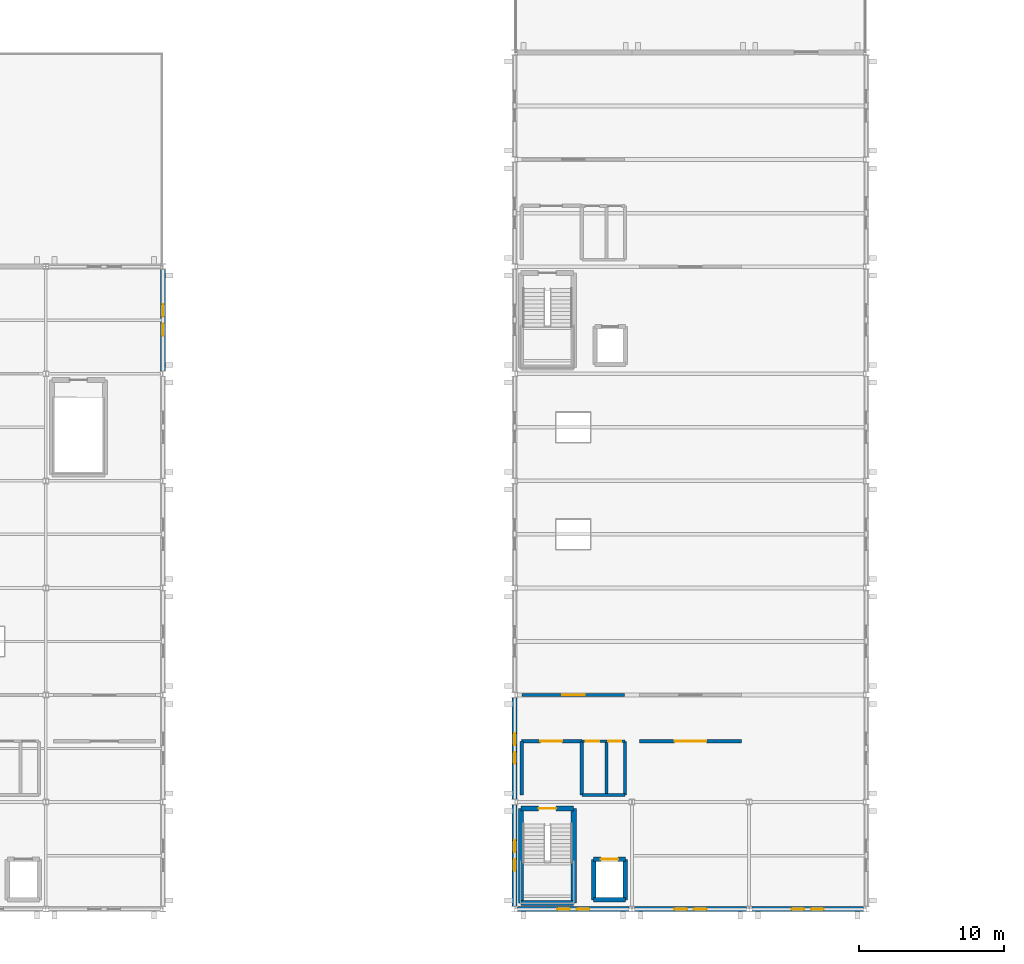
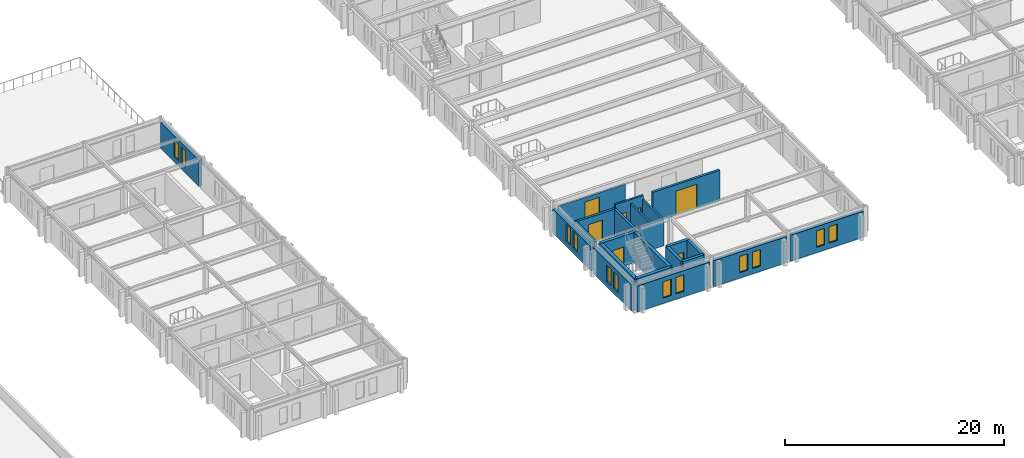
# One storey, part 10 of 19: 23 walls, 12 windows, 7 doors, 19 openings.
"""IFC4 building model written with IfcOpenShell, lengths in metres."""

from ifc_helpers import new_model, si_unit, direction, frame, frame_2d, origin, place, context, subcontext, project, spatial, rectangle, extrude, material, layer, layer_set, type_object, element, fill, save


model = new_model("IFC4")

# Units and contexts
model_context = context("Model", 3, precision=1e-05, world=origin(), true_north=direction((0.0, 1.0)))
body_context = subcontext(model_context, "Body", "Model", "MODEL_VIEW")
ifc_project = project(units=[si_unit("LENGTHUNIT", "METRE"), si_unit("AREAUNIT", "SQUARE_METRE"), si_unit("VOLUMEUNIT", "CUBIC_METRE"), si_unit("PLANEANGLEUNIT", "RADIAN"), si_unit("MASSUNIT", "GRAM", prefix="KILO")], contexts=[model_context])

# Site, building, storey
site_placement = place(None, origin())
site = spatial("IfcSite", under=ifc_project, at=site_placement, CompositionType="ELEMENT")
building_placement = place(site_placement, origin())
building = spatial("IfcBuilding", under=site, at=building_placement, Name="Cimatlan Art Gallery", CompositionType="ELEMENT")
storey_placement = place(building_placement, frame((0.0, 0.0, 17.39990234375)))
storey = spatial("IfcBuildingStorey", under=building, at=storey_placement, Name="L04", CompositionType="ELEMENT", Elevation=17.39990234375)

# Walls
ifc_material_1 = material(Name="Concrete C40/50", Category="concrete")
ifc_layer_1 = layer(ifc_material_1, 0.31005859375)
ifc_layer_set_1 = layer_set([ifc_layer_1], Name="Concrete C40/50")
wall_type_1 = type_object("IfcWallType", Name="W-CORE-310", PredefinedType="SHEAR", material=ifc_layer_set_1)
wall_1_placement = place(storey_placement, frame((80.35009765625, 24.550048828125, 0.0), z_axis=(0.0, 0.0, 1.0), x_axis=(0.0, 1.0, 0.0)))
element("IfcWall", 1, at=wall_1_placement, inside=storey, type_object=wall_type_1, Name="WL-SHFT-C3-L04-LW", PredefinedType="SHEAR", context=body_context, shape_type="SweptSolid", body=[
    extrude(rectangle(XDim=2.800048828125, YDim=0.31005859375, at=frame_2d((1.39990234375, 0.0))), origin(), (0.0, 0.0, 1.0), 3.375),
])
wall_2_placement = place(storey_placement, frame((80.35009765625, 24.550048828125, 0.0), z_axis=(0.0, 0.0, 1.0), x_axis=(1.0, 0.0, 0.0)))
element("IfcWall", 2, at=wall_2_placement, inside=storey, type_object=wall_type_1, Name="WL-SHFT-C3-L04-LS", PredefinedType="SHEAR", context=body_context, shape_type="SweptSolid", body=[
    extrude(rectangle(XDim=2.199951171875, YDim=0.31005859375, at=frame_2d((1.10009765625, 0.0))), origin(), (0.0, 0.0, 1.0), 3.375),
])
wall_3_placement = place(storey_placement, frame((82.550048828125, 24.550048828125, 0.0), z_axis=(0.0, 0.0, 1.0), x_axis=(0.0, 1.0, 0.0)))
element("IfcWall", 3, at=wall_3_placement, inside=storey, type_object=wall_type_1, Name="WL-SHFT-C3-L04-LE", PredefinedType="SHEAR", context=body_context, shape_type="SweptSolid", body=[
    extrude(rectangle(XDim=2.800048828125, YDim=0.31005859375, at=frame_2d((1.39990234375, 0.0))), origin(), (0.0, 0.0, 1.0), 3.375),
])

# Wall, opening, door
wall_4_placement = place(storey_placement, frame((80.35009765625, 27.35009765625, 0.0), z_axis=(0.0, 0.0, 1.0), x_axis=(1.0, 0.0, 0.0)))
wall_4 = element("IfcWall", 4, at=wall_4_placement, inside=storey, type_object=wall_type_1, Name="WL-SHFT-C3-L04-LN", PredefinedType="SHEAR", context=body_context, shape_type="SweptSolid", body=[
    extrude(rectangle(XDim=2.199951171875, YDim=0.31005859375, at=frame_2d((1.10009765625, 0.0))), origin(), (0.0, 0.0, 1.0), 3.375),
])
opening_1_placement = place(wall_4_placement, frame((0.5, 0.0, 0.0)))
opening_1 = element("IfcOpeningElement", 5, at=opening_1_placement, cuts=wall_4, Name="Opening LD-C3-L04", PredefinedType="OPENING", context=body_context, shape_type="SweptSolid", body=[
    extrude(rectangle(XDim=1.199951171875, YDim=2.14990234375, at=frame_2d((0.60009765625, 1.074951171875))), frame((0.0, 0.1650390625, 0.0), z_axis=(0.0, -1.0, 0.0), x_axis=(1.0, 0.0, 0.0)), (0.0, 0.0, 1.0), 0.330078125),
])
ifc_material_2 = material(Name="Fire-rated sliding firefighting lift landing door")
door_type_1 = type_object("IfcDoorType", Name="LD-FF-1200", OperationType="NOTDEFINED", PredefinedType="DOOR", material=ifc_material_2)
door_1_placement = place(opening_1_placement, origin())
door_1 = element("IfcDoor", 6, at=door_1_placement, inside=storey, type_object=door_type_1, Name="LD-FFL-02-L04", OperationType="SLIDING_TO_RIGHT", OverallHeight=2.14990234375, OverallWidth=1.199951171875, PredefinedType="DOOR", context=body_context, shape_type="SweptSolid", body=[
    extrude(rectangle(XDim=1.199951171875, YDim=2.14990234375, at=frame_2d((0.60009765625, 1.074951171875))), frame((0.0, 0.02490234375, 0.0), z_axis=(0.0, -1.0, 0.0), x_axis=(1.0, 0.0, 0.0)), (0.0, 0.0, 1.0), 0.050048828125),
])
fill(opening_1, door_1)

# Walls
ifc_layer_2 = layer(ifc_material_1, 0.35009765625)
ifc_layer_set_2 = layer_set([ifc_layer_2], Name="Concrete C40/50")
wall_type_2 = type_object("IfcWallType", Name="W-CORE-350", PredefinedType="SHEAR", material=ifc_layer_set_2)
wall_5_placement = place(storey_placement, frame((75.340087890625, 24.340087890625, 0.0), z_axis=(0.0, 0.0, 1.0), x_axis=(0.0, 1.0, 0.0)))
element("IfcWall", 7, at=wall_5_placement, inside=storey, type_object=wall_type_2, Name="WL-CORE-C3-L04-SW", PredefinedType="SHEAR", context=body_context, shape_type="SweptSolid", body=[
    extrude(rectangle(XDim=6.52001953125, YDim=0.35009765625, at=frame_2d((3.260009765625, 0.0))), origin(), (0.0, 0.0, 1.0), 3.375),
])
wall_6_placement = place(storey_placement, frame((75.340087890625, 24.340087890625, 0.0), z_axis=(0.0, 0.0, 1.0), x_axis=(1.0, 0.0, 0.0)))
element("IfcWall", 8, at=wall_6_placement, inside=storey, type_object=wall_type_2, Name="WL-CORE-C3-L04-SS", PredefinedType="SHEAR", context=body_context, shape_type="SweptSolid", body=[
    extrude(rectangle(XDim=3.639892578125, YDim=0.35009765625, at=frame_2d((1.81982421875, 0.0))), origin(), (0.0, 0.0, 1.0), 3.375),
])
wall_7_placement = place(storey_placement, frame((78.97998046875, 24.340087890625, 0.0), z_axis=(0.0, 0.0, 1.0), x_axis=(0.0, 1.0, 0.0)))
element("IfcWall", 9, at=wall_7_placement, inside=storey, type_object=wall_type_2, Name="WL-CORE-C3-L04-SE", PredefinedType="SHEAR", context=body_context, shape_type="SweptSolid", body=[
    extrude(rectangle(XDim=6.52001953125, YDim=0.35009765625, at=frame_2d((3.260009765625, 0.0))), origin(), (0.0, 0.0, 1.0), 3.375),
])

# Wall, opening, door
wall_8_placement = place(storey_placement, frame((75.340087890625, 30.860107421875, 0.0), z_axis=(0.0, 0.0, 1.0), x_axis=(1.0, 0.0, 0.0)))
wall_8 = element("IfcWall", 10, at=wall_8_placement, inside=storey, type_object=wall_type_2, Name="WL-CORE-C3-L04-SN", PredefinedType="SHEAR", context=body_context, shape_type="SweptSolid", body=[
    extrude(rectangle(XDim=3.639892578125, YDim=0.35009765625, at=frame_2d((1.81982421875, 0.0))), origin(), (0.0, 0.0, 1.0), 3.375),
])
opening_2_placement = place(wall_8_placement, frame((1.219970703125, 0.0, 0.0)))
opening_2 = element("IfcOpeningElement", 11, at=opening_2_placement, cuts=wall_8, Name="Opening FD-C3-L04", PredefinedType="OPENING", context=body_context, shape_type="SweptSolid", body=[
    extrude(rectangle(XDim=1.199951171875, YDim=2.14990234375, at=frame_2d((0.60009765625, 1.074951171875))), frame((0.0, 0.18505859375, 0.0), z_axis=(0.0, -1.0, 0.0), x_axis=(1.0, 0.0, 0.0)), (0.0, 0.0, 1.0), 0.3701171875),
])
ifc_material_3 = material(Name="Fire-resisting steel acoustic stair door", Category="steel")
door_type_2 = type_object("IfcDoorType", Name="FD-ST-1200", OperationType="NOTDEFINED", PredefinedType="DOOR", material=ifc_material_3)
door_2_placement = place(opening_2_placement, origin())
door_2 = element("IfcDoor", 12, at=door_2_placement, inside=storey, type_object=door_type_2, Name="DR-C3-L04-ST", OperationType="SINGLE_SWING_LEFT", OverallHeight=2.14990234375, OverallWidth=1.199951171875, PredefinedType="DOOR", context=body_context, shape_type="SweptSolid", body=[
    extrude(rectangle(XDim=1.199951171875, YDim=2.14990234375, at=frame_2d((0.60009765625, 1.074951171875))), frame((0.0, 0.02490234375, 0.0), z_axis=(0.0, -1.0, 0.0), x_axis=(1.0, 0.0, 0.0)), (0.0, 0.0, 1.0), 0.050048828125),
])
fill(opening_2, door_2)

ifc_material_4 = material(Name="Precast concrete C40/50", Category="concrete")
ifc_layer_3 = layer(ifc_material_4, 0.2451171875)
ifc_layer_set_3 = layer_set([ifc_layer_3], Name="Precast concrete C40/50")
wall_type_3 = type_object("IfcWallType", Name="W-FFL-245", PredefinedType="PARTITIONING", material=ifc_layer_set_3)
wall_9_placement = place(storey_placement, frame((75.3798828125, 35.5, 0.0), z_axis=(0.0, 0.0, 1.0), x_axis=(1.0, 0.0, 0.0)))
wall_9 = element("IfcWall", 13, at=wall_9_placement, inside=storey, type_object=wall_type_3, Name="WL-LOB-C3-L04-N", PredefinedType="PARTITIONING", context=body_context, shape_type="SweptSolid", body=[
    extrude(rectangle(XDim=4.170166015625, YDim=0.2451171875, at=frame_2d((2.0849609375, 0.0))), origin(), (0.0, 0.0, 1.0), 2.9130859375),
])
opening_3_placement = place(wall_9_placement, frame((1.300048828125, 0.0, 0.0)))
opening_3 = element("IfcOpeningElement", 14, at=opening_3_placement, cuts=wall_9, Name="Opening FDL-C3-L04", PredefinedType="OPENING", context=body_context, shape_type="SweptSolid", body=[
    extrude(rectangle(XDim=1.5, YDim=2.14990234375, at=frame_2d((0.75, 1.074951171875))), frame((0.0, 0.132568359375, 0.0), z_axis=(0.0, -1.0, 0.0), x_axis=(1.0, 0.0, 0.0)), (0.0, 0.0, 1.0), 0.26513671875),
])
ifc_material_5 = material(Name="Fire-resisting double-seal lobby door")
door_type_3 = type_object("IfcDoorType", Name="FD-LB-1500", OperationType="NOTDEFINED", PredefinedType="DOOR", material=ifc_material_5)
door_3_placement = place(opening_3_placement, origin())
door_3 = element("IfcDoor", 15, at=door_3_placement, inside=storey, type_object=door_type_3, Name="DR-LOB-C3-L04", OperationType="SINGLE_SWING_RIGHT", OverallHeight=2.14990234375, OverallWidth=1.5, PredefinedType="DOOR", context=body_context, shape_type="SweptSolid", body=[
    extrude(rectangle(XDim=1.5, YDim=2.14990234375, at=frame_2d((0.75, 1.074951171875))), frame((0.0, 0.02490234375, 0.0), z_axis=(0.0, -1.0, 0.0), x_axis=(1.0, 0.0, 0.0)), (0.0, 0.0, 1.0), 0.050048828125),
])
fill(opening_3, door_3)

# Walls
for number, where, z_axis, x_axis, name in (
    (16, (75.3798828125, 31.780029296875, 0.0), (0.0, 0.0, 1.0), (0.0, 1.0, 0.0), "WL-LOB-C3-L04-W"),
    (17, (79.550048828125, 31.780029296875, 0.0), (0.0, 0.0, 1.0), (0.0, 1.0, 0.0), "WL-LOB-C3-L04-M"),
):
    element("IfcWall", number, at=place(storey_placement, frame(where, z_axis=z_axis, x_axis=x_axis)), inside=storey, type_object=wall_type_3, Name=name, PredefinedType="PARTITIONING", context=body_context, shape_type="SweptSolid", body=[
        extrude(rectangle(XDim=3.719970703125, YDim=0.2451171875, at=frame_2d((1.85986328125, 0.0))), origin(), (0.0, 0.0, 1.0), 2.9130859375),
    ])

# Wall, opening, door
wall_10_placement = place(storey_placement, frame((83.52001953125, 35.5, 0.0), z_axis=(0.0, 0.0, 1.0), x_axis=(1.0, 0.0, 0.0)))
wall_10 = element("IfcWall", 18, at=wall_10_placement, inside=storey, type_object=wall_type_3, Name="WL-RM-L04-AST-01", PredefinedType="PARTITIONING", context=body_context, shape_type="SweptSolid", body=[
    extrude(rectangle(XDim=7.06005859375, YDim=0.2451171875, at=frame_2d((3.530029296875, 0.0))), origin(), (0.0, 0.0, 1.0), 3.364990234375),
])
opening_4_placement = place(wall_10_placement, frame((2.429931640625, 0.0, 0.0)))
opening_4 = element("IfcOpeningElement", 19, at=opening_4_placement, cuts=wall_10, Name="Opening DI-0265", PredefinedType="OPENING", context=body_context, shape_type="SweptSolid", body=[
    extrude(rectangle(XDim=2.199951171875, YDim=2.64990234375, at=frame_2d((1.10009765625, 1.324951171875))), frame((0.0, 0.132568359375, 0.0), z_axis=(0.0, -1.0, 0.0), x_axis=(1.0, 0.0, 0.0)), (0.0, 0.0, 1.0), 0.26513671875),
])
ifc_material_6 = material(Name="Fire-resisting large-format art-store door")
door_type_4 = type_object("IfcDoorType", Name="FD-VL-2200", OperationType="NOTDEFINED", PredefinedType="DOOR", material=ifc_material_6)
door_4_placement = place(opening_4_placement, origin())
door_4 = element("IfcDoor", 20, at=door_4_placement, inside=storey, type_object=door_type_4, Name="DR-RM-L04-AST-01", OperationType="SINGLE_SWING_LEFT", OverallHeight=2.64990234375, OverallWidth=2.199951171875, PredefinedType="DOOR", context=body_context, shape_type="SweptSolid", body=[
    extrude(rectangle(XDim=2.199951171875, YDim=2.64990234375, at=frame_2d((1.10009765625, 1.324951171875))), frame((0.0, 0.02490234375, 0.0), z_axis=(0.0, -1.0, 0.0), x_axis=(1.0, 0.0, 0.0)), (0.0, 0.0, 1.0), 0.050048828125),
])
fill(opening_4, door_4)

ifc_material_7 = material(Name="Acoustic gypsum and steel stud partition", Category="steel")
ifc_layer_4 = layer(ifc_material_7, 0.205078125)
ifc_layer_set_4 = layer_set([ifc_layer_4], Name="Acoustic gypsum and steel stud partition")
wall_type_4 = type_object("IfcWallType", Name="W-GAL-205", PredefinedType="PARTITIONING", material=ifc_layer_set_4)
wall_11_placement = place(storey_placement, frame((75.419921875, 38.699951171875, 0.0), z_axis=(0.0, 0.0, 1.0), x_axis=(1.0, 0.0, 0.0)))
wall_11 = element("IfcWall", 21, at=wall_11_placement, inside=storey, type_object=wall_type_4, Name="WL-RM-L04-GAL-CW", PredefinedType="PARTITIONING", context=body_context, shape_type="SweptSolid", body=[
    extrude(rectangle(XDim=7.06005859375, YDim=0.205078125, at=frame_2d((3.530029296875, 0.0))), origin(), (0.0, 0.0, 1.0), 2.68603515625),
])
opening_5_placement = place(wall_11_placement, frame((2.7548828125, 0.0, 0.0)))
opening_5 = element("IfcOpeningElement", 22, at=opening_5_placement, cuts=wall_11, Name="Opening DI-0267", PredefinedType="OPENING", context=body_context, shape_type="SweptSolid", body=[
    extrude(rectangle(XDim=1.550048828125, YDim=2.199951171875, at=frame_2d((0.77490234375, 1.10009765625))), frame((0.0, 0.112548828125, 0.0), z_axis=(0.0, -1.0, 0.0), x_axis=(1.0, 0.0, 0.0)), (0.0, 0.0, 1.0), 0.22509765625),
])
ifc_material_8 = material(Name="European oak upper gallery door")
door_type_5 = type_object("IfcDoorType", Name="DI-GL-1550", OperationType="NOTDEFINED", PredefinedType="DOOR", material=ifc_material_8)
door_5_placement = place(opening_5_placement, origin())
door_5 = element("IfcDoor", 23, at=door_5_placement, inside=storey, type_object=door_type_5, Name="DR-RM-L04-GAL-CW", OperationType="SINGLE_SWING_LEFT", OverallHeight=2.199951171875, OverallWidth=1.550048828125, PredefinedType="DOOR", context=body_context, shape_type="SweptSolid", body=[
    extrude(rectangle(XDim=1.550048828125, YDim=2.199951171875, at=frame_2d((0.77490234375, 1.10009765625))), frame((0.0, 0.02490234375, 0.0), z_axis=(0.0, -1.0, 0.0), x_axis=(1.0, 0.0, 0.0)), (0.0, 0.0, 1.0), 0.050048828125),
])
fill(opening_5, door_5)

# Walls
ifc_material_9 = material(Name="Moisture-resistant fire-rated plumbing wall")
ifc_layer_5 = layer(ifc_material_9, 0.195068359375)
ifc_layer_set_5 = layer_set([ifc_layer_5], Name="Moisture-resistant fire-rated plumbing wall")
wall_type_5 = type_object("IfcWallType", Name="W-PLM-195", PredefinedType="PARTITIONING", material=ifc_layer_set_5)
for number, where, z_axis, x_axis, name in (
    (24, (81.25, 31.780029296875, 0.0), (0.0, 0.0, 1.0), (0.0, 1.0, 0.0), "WL-LOB-C3-L04-D"),
    (25, (82.52001953125, 31.780029296875, 0.0), (0.0, 0.0, 1.0), (0.0, 1.0, 0.0), "WL-LOB-C3-L04-E"),
):
    element("IfcWall", number, at=place(storey_placement, frame(where, z_axis=z_axis, x_axis=x_axis)), inside=storey, type_object=wall_type_5, Name=name, PredefinedType="PARTITIONING", context=body_context, shape_type="SweptSolid", body=[
        extrude(rectangle(XDim=3.719970703125, YDim=0.195068359375, at=frame_2d((1.85986328125, 0.0))), origin(), (0.0, 0.0, 1.0), 2.9130859375),
    ])
wall_12_placement = place(storey_placement, frame((79.550048828125, 31.780029296875, 0.0), z_axis=(0.0, 0.0, 1.0), x_axis=(1.0, 0.0, 0.0)))
element("IfcWall", 26, at=wall_12_placement, inside=storey, type_object=wall_type_5, Name="WL-LOB-C3-L04-S", PredefinedType="PARTITIONING", context=body_context, shape_type="SweptSolid", body=[
    extrude(rectangle(XDim=2.969970703125, YDim=0.195068359375, at=frame_2d((1.48486328125, 0.0))), origin(), (0.0, 0.0, 1.0), 2.9130859375),
])

# Wall, openings, doors
wall_13_placement = place(storey_placement, frame((79.550048828125, 35.5, 0.0), z_axis=(0.0, 0.0, 1.0), x_axis=(1.0, 0.0, 0.0)))
wall_13 = element("IfcWall", 27, at=wall_13_placement, inside=storey, type_object=wall_type_5, Name="WL-WC-C3-L04-N", PredefinedType="PARTITIONING", context=body_context, shape_type="SweptSolid", body=[
    extrude(rectangle(XDim=2.969970703125, YDim=0.195068359375, at=frame_2d((1.48486328125, 0.0))), origin(), (0.0, 0.0, 1.0), 3.364990234375),
])
opening_6_placement = place(wall_13_placement, frame((0.25, 0.0, 0.0)))
opening_6 = element("IfcOpeningElement", 28, at=opening_6_placement, cuts=wall_13, Name="Opening DWC-C3A-L04", PredefinedType="OPENING", context=body_context, shape_type="SweptSolid", body=[
    extrude(rectangle(XDim=0.949951171875, YDim=2.10009765625, at=frame_2d((0.47509765625, 1.050048828125))), frame((0.0, 0.107421875, 0.0), z_axis=(0.0, -1.0, 0.0), x_axis=(1.0, 0.0, 0.0)), (0.0, 0.0, 1.0), 0.215087890625),
])
opening_7_placement = place(wall_13_placement, frame((1.820068359375, 0.0, 0.0)))
opening_7 = element("IfcOpeningElement", 29, at=opening_7_placement, cuts=wall_13, Name="Opening DWC-C3B-L04", PredefinedType="OPENING", context=body_context, shape_type="SweptSolid", body=[
    extrude(rectangle(XDim=0.89990234375, YDim=2.10009765625, at=frame_2d((0.449951171875, 1.050048828125))), frame((0.0, 0.107421875, 0.0), z_axis=(0.0, -1.0, 0.0), x_axis=(1.0, 0.0, 0.0)), (0.0, 0.0, 1.0), 0.215087890625),
])
ifc_material_10 = material(Name="Sanitary room door")
door_type_6 = type_object("IfcDoorType", Name="DI-WC-0900", OperationType="NOTDEFINED", PredefinedType="DOOR", material=ifc_material_10)
door_6_placement = place(opening_7_placement, origin())
door_6 = element("IfcDoor", 30, at=door_6_placement, inside=storey, type_object=door_type_6, Name="DR-PWC-C3-L04", OperationType="SINGLE_SWING_RIGHT", OverallHeight=2.10009765625, OverallWidth=0.89990234375, PredefinedType="DOOR", context=body_context, shape_type="SweptSolid", body=[
    extrude(rectangle(XDim=0.89990234375, YDim=2.10009765625, at=frame_2d((0.449951171875, 1.050048828125))), frame((0.0, 0.02490234375, 0.0), z_axis=(0.0, -1.0, 0.0), x_axis=(1.0, 0.0, 0.0)), (0.0, 0.0, 1.0), 0.050048828125),
])
fill(opening_7, door_6)
ifc_material_11 = material(Name="Accessible sanitary room door")
door_type_7 = type_object("IfcDoorType", Name="DI-WC-0950", OperationType="NOTDEFINED", PredefinedType="DOOR", material=ifc_material_11)
door_7_placement = place(opening_6_placement, origin())
door_7 = element("IfcDoor", 31, at=door_7_placement, inside=storey, type_object=door_type_7, Name="DR-AWC-C3-L04", OperationType="SINGLE_SWING_LEFT", OverallHeight=2.10009765625, OverallWidth=0.949951171875, PredefinedType="DOOR", context=body_context, shape_type="SweptSolid", body=[
    extrude(rectangle(XDim=0.949951171875, YDim=2.10009765625, at=frame_2d((0.47509765625, 1.050048828125))), frame((0.0, 0.02490234375, 0.0), z_axis=(0.0, -1.0, 0.0), x_axis=(1.0, 0.0, 0.0)), (0.0, 0.0, 1.0), 0.050048828125),
])
fill(opening_6, door_7)

# Wall, openings, windows
ifc_layer_6 = layer(ifc_material_4, 0.340087890625)
ifc_layer_set_6 = layer_set([ifc_layer_6], Name="Precast concrete C40/50")
wall_type_6 = type_object("IfcWallType", Name="WL-EXT-STD-340", PredefinedType="SOLIDWALL", material=ifc_layer_set_6)
wall_14_placement = place(storey_placement, frame((50.60009765625, 68.110107421875, 0.0), z_axis=(0.0, 0.0, 1.0), x_axis=(0.0, -1.0, 0.0)))
wall_14 = element("IfcWall", 32, at=wall_14_placement, inside=storey, type_object=wall_type_6, Name="WL-EXT-L04-05-08-E", PredefinedType="SOLIDWALL", context=body_context, shape_type="SweptSolid", body=[
    extrude(rectangle(XDim=7.02001953125, YDim=0.340087890625, at=frame_2d((3.510009765625, 0.0))), origin(), (0.0, 0.0, 1.0), 2.908203125),
])
opening_8_placement = place(wall_14_placement, frame((2.419921875, 0.0, 0.60009765625)))
opening_8 = element("IfcOpeningElement", 33, at=opening_8_placement, cuts=wall_14, Name="Opening WN-0329", PredefinedType="OPENING", context=body_context, shape_type="SweptSolid", body=[
    extrude(rectangle(XDim=0.85009765625, YDim=1.8798828125, at=frame_2d((0.425048828125, 0.93994140625))), frame((0.0, 0.18017578125, 0.0), z_axis=(0.0, -1.0, 0.0), x_axis=(1.0, 0.0, 0.0)), (0.0, 0.0, 1.0), 0.360107421875),
])
opening_9_placement = place(wall_14_placement, frame((3.75, 0.0, 0.60009765625)))
opening_9 = element("IfcOpeningElement", 34, at=opening_9_placement, cuts=wall_14, Name="Opening WN-0330", PredefinedType="OPENING", context=body_context, shape_type="SweptSolid", body=[
    extrude(rectangle(XDim=0.85009765625, YDim=1.8798828125, at=frame_2d((0.425048828125, 0.93994140625))), frame((0.0, 0.18017578125, 0.0), z_axis=(0.0, -1.0, 0.0), x_axis=(1.0, 0.0, 0.0)), (0.0, 0.0, 1.0), 0.360107421875),
])
ifc_material_12 = material(Name="Low-E laminated double glazing in bronze lancet frame", Category="glass")
window_type_1 = type_object("IfcWindowType", Name="WIN-E-L04-0850X1880", PartitioningType="SINGLE_PANEL", PredefinedType="WINDOW", material=ifc_material_12)
window_1_placement = place(opening_8_placement, origin())
window_1 = element("IfcWindow", 35, at=window_1_placement, inside=storey, type_object=window_type_1, Name="WIN-0329", OverallHeight=1.8798828125, OverallWidth=0.85009765625, PartitioningType="SINGLE_PANEL", PredefinedType="WINDOW", context=body_context, shape_type="SweptSolid", body=[
    extrude(rectangle(XDim=0.85009765625, YDim=1.8798828125, at=frame_2d((0.425048828125, 0.93994140625))), frame((0.0, 0.030029296875, 0.0), z_axis=(0.0, -1.0, 0.0), x_axis=(1.0, 0.0, 0.0)), (0.0, 0.0, 1.0), 0.06005859375),
])
fill(opening_8, window_1)
window_2_placement = place(opening_9_placement, origin())
window_2 = element("IfcWindow", 36, at=window_2_placement, inside=storey, type_object=window_type_1, Name="WIN-0330", OverallHeight=1.8798828125, OverallWidth=0.85009765625, PartitioningType="SINGLE_PANEL", PredefinedType="WINDOW", context=body_context, shape_type="SweptSolid", body=[
    extrude(rectangle(XDim=0.85009765625, YDim=1.8798828125, at=frame_2d((0.425048828125, 0.93994140625))), frame((0.0, 0.030029296875, 0.0), z_axis=(0.0, -1.0, 0.0), x_axis=(1.0, 0.0, 0.0)), (0.0, 0.0, 1.0), 0.06005859375),
])
fill(opening_9, window_2)

wall_15_placement = place(storey_placement, frame((82.80908203125, 23.89990234375, 0.0), z_axis=(0.0, 0.0, 1.0), x_axis=(-1.0, 0.0, 0.0)))
wall_15 = element("IfcWall", 37, at=wall_15_placement, inside=storey, type_object=wall_type_6, Name="WL-EXT-L04-09-03-S", PredefinedType="SOLIDWALL", context=body_context, shape_type="SweptSolid", body=[
    extrude(rectangle(XDim=7.7080078125, YDim=0.340087890625, at=frame_2d((3.85400390625, 0.0))), origin(), (0.0, 0.0, 1.0), 2.908203125),
])
opening_10_placement = place(wall_15_placement, frame((2.743896484375, 0.0, 0.60009765625)))
opening_10 = element("IfcOpeningElement", 38, at=opening_10_placement, cuts=wall_15, Name="Opening WN-0331", PredefinedType="OPENING", context=body_context, shape_type="SweptSolid", body=[
    extrude(rectangle(XDim=0.8701171875, YDim=1.820068359375, at=frame_2d((0.43505859375, 0.91015625))), frame((0.0, 0.18017578125, 0.0), z_axis=(0.0, -1.0, 0.0), x_axis=(1.0, 0.0, 0.0)), (0.0, 0.0, 1.0), 0.360107421875),
])
opening_11_placement = place(wall_15_placement, frame((4.093994140625, 0.0, 0.60009765625)))
opening_11 = element("IfcOpeningElement", 39, at=opening_11_placement, cuts=wall_15, Name="Opening WN-0332", PredefinedType="OPENING", context=body_context, shape_type="SweptSolid", body=[
    extrude(rectangle(XDim=0.8701171875, YDim=1.820068359375, at=frame_2d((0.43505859375, 0.91015625))), frame((0.0, 0.18017578125, 0.0), z_axis=(0.0, -1.0, 0.0), x_axis=(1.0, 0.0, 0.0)), (0.0, 0.0, 1.0), 0.360107421875),
])
window_type_2 = type_object("IfcWindowType", Name="WIN-S-L04-0870X1820", PartitioningType="SINGLE_PANEL", PredefinedType="WINDOW", material=ifc_material_12)
window_3_placement = place(opening_10_placement, origin())
window_3 = element("IfcWindow", 40, at=window_3_placement, inside=storey, type_object=window_type_2, Name="WIN-0331", OverallHeight=1.820068359375, OverallWidth=0.8701171875, PartitioningType="SINGLE_PANEL", PredefinedType="WINDOW", context=body_context, shape_type="SweptSolid", body=[
    extrude(rectangle(XDim=0.8701171875, YDim=1.820068359375, at=frame_2d((0.43505859375, 0.91015625))), frame((0.0, 0.030029296875, 0.0), z_axis=(0.0, -1.0, 0.0), x_axis=(1.0, 0.0, 0.0)), (0.0, 0.0, 1.0), 0.06005859375),
])
fill(opening_10, window_3)
window_4_placement = place(opening_11_placement, origin())
window_4 = element("IfcWindow", 41, at=window_4_placement, inside=storey, type_object=window_type_2, Name="WIN-0332", OverallHeight=1.820068359375, OverallWidth=0.8701171875, PartitioningType="SINGLE_PANEL", PredefinedType="WINDOW", context=body_context, shape_type="SweptSolid", body=[
    extrude(rectangle(XDim=0.8701171875, YDim=1.820068359375, at=frame_2d((0.43505859375, 0.91015625))), frame((0.0, 0.030029296875, 0.0), z_axis=(0.0, -1.0, 0.0), x_axis=(1.0, 0.0, 0.0)), (0.0, 0.0, 1.0), 0.06005859375),
])
fill(opening_11, window_4)

wall_16_placement = place(storey_placement, frame((74.89990234375, 24.092041015625, 0.0), z_axis=(0.0, 0.0, 1.0), x_axis=(0.0, 1.0, 0.0)))
wall_16 = element("IfcWall", 42, at=wall_16_placement, inside=storey, type_object=wall_type_6, Name="WL-EXT-L04-09-03-W", PredefinedType="SOLIDWALL", context=body_context, shape_type="SweptSolid", body=[
    extrude(rectangle(XDim=7.015869140625, YDim=0.340087890625, at=frame_2d((3.5078125, 0.0))), origin(), (0.0, 0.0, 1.0), 2.908203125),
])
opening_12_placement = place(wall_16_placement, frame((2.4580078125, 0.0, 0.60009765625)))
opening_12 = element("IfcOpeningElement", 43, at=opening_12_placement, cuts=wall_16, Name="Opening WN-0333", PredefinedType="OPENING", context=body_context, shape_type="SweptSolid", body=[
    extrude(rectangle(XDim=0.81005859375, YDim=1.840087890625, at=frame_2d((0.405029296875, 0.919921875))), frame((0.0, 0.18017578125, 0.0), z_axis=(0.0, -1.0, 0.0), x_axis=(1.0, 0.0, 0.0)), (0.0, 0.0, 1.0), 0.360107421875),
])
opening_13_placement = place(wall_16_placement, frame((3.748046875, 0.0, 0.60009765625)))
opening_13 = element("IfcOpeningElement", 44, at=opening_13_placement, cuts=wall_16, Name="Opening WN-0334", PredefinedType="OPENING", context=body_context, shape_type="SweptSolid", body=[
    extrude(rectangle(XDim=0.81005859375, YDim=1.840087890625, at=frame_2d((0.405029296875, 0.919921875))), frame((0.0, 0.18017578125, 0.0), z_axis=(0.0, -1.0, 0.0), x_axis=(1.0, 0.0, 0.0)), (0.0, 0.0, 1.0), 0.360107421875),
])
window_type_3 = type_object("IfcWindowType", Name="WIN-W-L04-0810X1840", PartitioningType="SINGLE_PANEL", PredefinedType="WINDOW", material=ifc_material_12)
window_5_placement = place(opening_12_placement, origin())
window_5 = element("IfcWindow", 45, at=window_5_placement, inside=storey, type_object=window_type_3, Name="WIN-0333", OverallHeight=1.840087890625, OverallWidth=0.81005859375, PartitioningType="SINGLE_PANEL", PredefinedType="WINDOW", context=body_context, shape_type="SweptSolid", body=[
    extrude(rectangle(XDim=0.81005859375, YDim=1.840087890625, at=frame_2d((0.405029296875, 0.919921875))), frame((0.0, 0.030029296875, 0.0), z_axis=(0.0, -1.0, 0.0), x_axis=(1.0, 0.0, 0.0)), (0.0, 0.0, 1.0), 0.06005859375),
])
fill(opening_12, window_5)
window_6_placement = place(opening_13_placement, origin())
window_6 = element("IfcWindow", 46, at=window_6_placement, inside=storey, type_object=window_type_3, Name="WIN-0334", OverallHeight=1.840087890625, OverallWidth=0.81005859375, PartitioningType="SINGLE_PANEL", PredefinedType="WINDOW", context=body_context, shape_type="SweptSolid", body=[
    extrude(rectangle(XDim=0.81005859375, YDim=1.840087890625, at=frame_2d((0.405029296875, 0.919921875))), frame((0.0, 0.030029296875, 0.0), z_axis=(0.0, -1.0, 0.0), x_axis=(1.0, 0.0, 0.0)), (0.0, 0.0, 1.0), 0.06005859375),
])
fill(opening_13, window_6)

wall_17_placement = place(storey_placement, frame((74.89990234375, 31.491943359375, 0.0), z_axis=(0.0, 0.0, 1.0), x_axis=(0.0, 1.0, 0.0)))
wall_17 = element("IfcWall", 47, at=wall_17_placement, inside=storey, type_object=wall_type_6, Name="WL-EXT-L04-09-04-W", PredefinedType="SOLIDWALL", context=body_context, shape_type="SweptSolid", body=[
    extrude(rectangle(XDim=7.01611328125, YDim=0.340087890625, at=frame_2d((3.508056640625, 0.0))), origin(), (0.0, 0.0, 1.0), 2.68115234375),
])
opening_14_placement = place(wall_17_placement, frame((2.4580078125, 0.0, 0.60009765625)))
opening_14 = element("IfcOpeningElement", 48, at=opening_14_placement, cuts=wall_17, Name="Opening WN-0335", PredefinedType="OPENING", context=body_context, shape_type="SweptSolid", body=[
    extrude(rectangle(XDim=0.81005859375, YDim=1.840087890625, at=frame_2d((0.405029296875, 0.919921875))), frame((0.0, 0.18017578125, 0.0), z_axis=(0.0, -1.0, 0.0), x_axis=(1.0, 0.0, 0.0)), (0.0, 0.0, 1.0), 0.360107421875),
])
opening_15_placement = place(wall_17_placement, frame((3.748046875, 0.0, 0.60009765625)))
opening_15 = element("IfcOpeningElement", 49, at=opening_15_placement, cuts=wall_17, Name="Opening WN-0336", PredefinedType="OPENING", context=body_context, shape_type="SweptSolid", body=[
    extrude(rectangle(XDim=0.81005859375, YDim=1.840087890625, at=frame_2d((0.405029296875, 0.919921875))), frame((0.0, 0.18017578125, 0.0), z_axis=(0.0, -1.0, 0.0), x_axis=(1.0, 0.0, 0.0)), (0.0, 0.0, 1.0), 0.360107421875),
])
window_7_placement = place(opening_14_placement, origin())
window_7 = element("IfcWindow", 50, at=window_7_placement, inside=storey, type_object=window_type_3, Name="WIN-0335", OverallHeight=1.840087890625, OverallWidth=0.81005859375, PartitioningType="SINGLE_PANEL", PredefinedType="WINDOW", context=body_context, shape_type="SweptSolid", body=[
    extrude(rectangle(XDim=0.81005859375, YDim=1.840087890625, at=frame_2d((0.405029296875, 0.919921875))), frame((0.0, 0.030029296875, 0.0), z_axis=(0.0, -1.0, 0.0), x_axis=(1.0, 0.0, 0.0)), (0.0, 0.0, 1.0), 0.06005859375),
])
fill(opening_14, window_7)
window_8_placement = place(opening_15_placement, origin())
window_8 = element("IfcWindow", 51, at=window_8_placement, inside=storey, type_object=window_type_3, Name="WIN-0336", OverallHeight=1.840087890625, OverallWidth=0.81005859375, PartitioningType="SINGLE_PANEL", PredefinedType="WINDOW", context=body_context, shape_type="SweptSolid", body=[
    extrude(rectangle(XDim=0.81005859375, YDim=1.840087890625, at=frame_2d((0.405029296875, 0.919921875))), frame((0.0, 0.030029296875, 0.0), z_axis=(0.0, -1.0, 0.0), x_axis=(1.0, 0.0, 0.0)), (0.0, 0.0, 1.0), 0.06005859375),
])
fill(opening_15, window_8)

wall_18_placement = place(storey_placement, frame((90.908935546875, 23.89990234375, 0.0), z_axis=(0.0, 0.0, 1.0), x_axis=(-1.0, 0.0, 0.0)))
wall_18 = element("IfcWall", 52, at=wall_18_placement, inside=storey, type_object=wall_type_6, Name="WL-EXT-L04-10-03-S", PredefinedType="SOLIDWALL", context=body_context, shape_type="SweptSolid", body=[
    extrude(rectangle(XDim=7.718017578125, YDim=0.340087890625, at=frame_2d((3.85888671875, 0.0))), origin(), (0.0, 0.0, 1.0), 2.908203125),
])
opening_16_placement = place(wall_18_placement, frame((2.7490234375, 0.0, 0.60009765625)))
opening_16 = element("IfcOpeningElement", 53, at=opening_16_placement, cuts=wall_18, Name="Opening WN-0349", PredefinedType="OPENING", context=body_context, shape_type="SweptSolid", body=[
    extrude(rectangle(XDim=0.8701171875, YDim=1.820068359375, at=frame_2d((0.43505859375, 0.91015625))), frame((0.0, 0.18017578125, 0.0), z_axis=(0.0, -1.0, 0.0), x_axis=(1.0, 0.0, 0.0)), (0.0, 0.0, 1.0), 0.360107421875),
])
opening_17_placement = place(wall_18_placement, frame((4.09912109375, 0.0, 0.60009765625)))
opening_17 = element("IfcOpeningElement", 54, at=opening_17_placement, cuts=wall_18, Name="Opening WN-0350", PredefinedType="OPENING", context=body_context, shape_type="SweptSolid", body=[
    extrude(rectangle(XDim=0.8701171875, YDim=1.820068359375, at=frame_2d((0.43505859375, 0.91015625))), frame((0.0, 0.18017578125, 0.0), z_axis=(0.0, -1.0, 0.0), x_axis=(1.0, 0.0, 0.0)), (0.0, 0.0, 1.0), 0.360107421875),
])
window_9_placement = place(opening_16_placement, origin())
window_9 = element("IfcWindow", 55, at=window_9_placement, inside=storey, type_object=window_type_2, Name="WIN-0349", OverallHeight=1.820068359375, OverallWidth=0.8701171875, PartitioningType="SINGLE_PANEL", PredefinedType="WINDOW", context=body_context, shape_type="SweptSolid", body=[
    extrude(rectangle(XDim=0.8701171875, YDim=1.820068359375, at=frame_2d((0.43505859375, 0.91015625))), frame((0.0, 0.030029296875, 0.0), z_axis=(0.0, -1.0, 0.0), x_axis=(1.0, 0.0, 0.0)), (0.0, 0.0, 1.0), 0.06005859375),
])
fill(opening_16, window_9)
window_10_placement = place(opening_17_placement, origin())
window_10 = element("IfcWindow", 56, at=window_10_placement, inside=storey, type_object=window_type_2, Name="WIN-0350", OverallHeight=1.820068359375, OverallWidth=0.8701171875, PartitioningType="SINGLE_PANEL", PredefinedType="WINDOW", context=body_context, shape_type="SweptSolid", body=[
    extrude(rectangle(XDim=0.8701171875, YDim=1.820068359375, at=frame_2d((0.43505859375, 0.91015625))), frame((0.0, 0.030029296875, 0.0), z_axis=(0.0, -1.0, 0.0), x_axis=(1.0, 0.0, 0.0)), (0.0, 0.0, 1.0), 0.06005859375),
])
fill(opening_17, window_10)

wall_19_placement = place(storey_placement, frame((98.9990234375, 23.89990234375, 0.0), z_axis=(0.0, 0.0, 1.0), x_axis=(-1.0, 0.0, 0.0)))
wall_19 = element("IfcWall", 57, at=wall_19_placement, inside=storey, type_object=wall_type_6, Name="WL-EXT-L04-11-03-S", PredefinedType="SOLIDWALL", context=body_context, shape_type="SweptSolid", body=[
    extrude(rectangle(XDim=7.7080078125, YDim=0.340087890625, at=frame_2d((3.85400390625, 0.0))), origin(), (0.0, 0.0, 1.0), 2.908203125),
])
opening_18_placement = place(wall_19_placement, frame((2.743896484375, 0.0, 0.60009765625)))
opening_18 = element("IfcOpeningElement", 58, at=opening_18_placement, cuts=wall_19, Name="Opening WN-0351", PredefinedType="OPENING", context=body_context, shape_type="SweptSolid", body=[
    extrude(rectangle(XDim=0.8701171875, YDim=1.820068359375, at=frame_2d((0.43505859375, 0.91015625))), frame((0.0, 0.18017578125, 0.0), z_axis=(0.0, -1.0, 0.0), x_axis=(1.0, 0.0, 0.0)), (0.0, 0.0, 1.0), 0.360107421875),
])
opening_19_placement = place(wall_19_placement, frame((4.093994140625, 0.0, 0.60009765625)))
opening_19 = element("IfcOpeningElement", 59, at=opening_19_placement, cuts=wall_19, Name="Opening WN-0352", PredefinedType="OPENING", context=body_context, shape_type="SweptSolid", body=[
    extrude(rectangle(XDim=0.8701171875, YDim=1.820068359375, at=frame_2d((0.43505859375, 0.91015625))), frame((0.0, 0.18017578125, 0.0), z_axis=(0.0, -1.0, 0.0), x_axis=(1.0, 0.0, 0.0)), (0.0, 0.0, 1.0), 0.360107421875),
])
window_11_placement = place(opening_18_placement, origin())
window_11 = element("IfcWindow", 60, at=window_11_placement, inside=storey, type_object=window_type_2, Name="WIN-0351", OverallHeight=1.820068359375, OverallWidth=0.8701171875, PartitioningType="SINGLE_PANEL", PredefinedType="WINDOW", context=body_context, shape_type="SweptSolid", body=[
    extrude(rectangle(XDim=0.8701171875, YDim=1.820068359375, at=frame_2d((0.43505859375, 0.91015625))), frame((0.0, 0.030029296875, 0.0), z_axis=(0.0, -1.0, 0.0), x_axis=(1.0, 0.0, 0.0)), (0.0, 0.0, 1.0), 0.06005859375),
])
fill(opening_18, window_11)
window_12_placement = place(opening_19_placement, origin())
window_12 = element("IfcWindow", 61, at=window_12_placement, inside=storey, type_object=window_type_2, Name="WIN-0352", OverallHeight=1.820068359375, OverallWidth=0.8701171875, PartitioningType="SINGLE_PANEL", PredefinedType="WINDOW", context=body_context, shape_type="SweptSolid", body=[
    extrude(rectangle(XDim=0.8701171875, YDim=1.820068359375, at=frame_2d((0.43505859375, 0.91015625))), frame((0.0, 0.030029296875, 0.0), z_axis=(0.0, -1.0, 0.0), x_axis=(1.0, 0.0, 0.0)), (0.0, 0.0, 1.0), 0.06005859375),
])
fill(opening_19, window_12)

save(model, "model.ifc")
